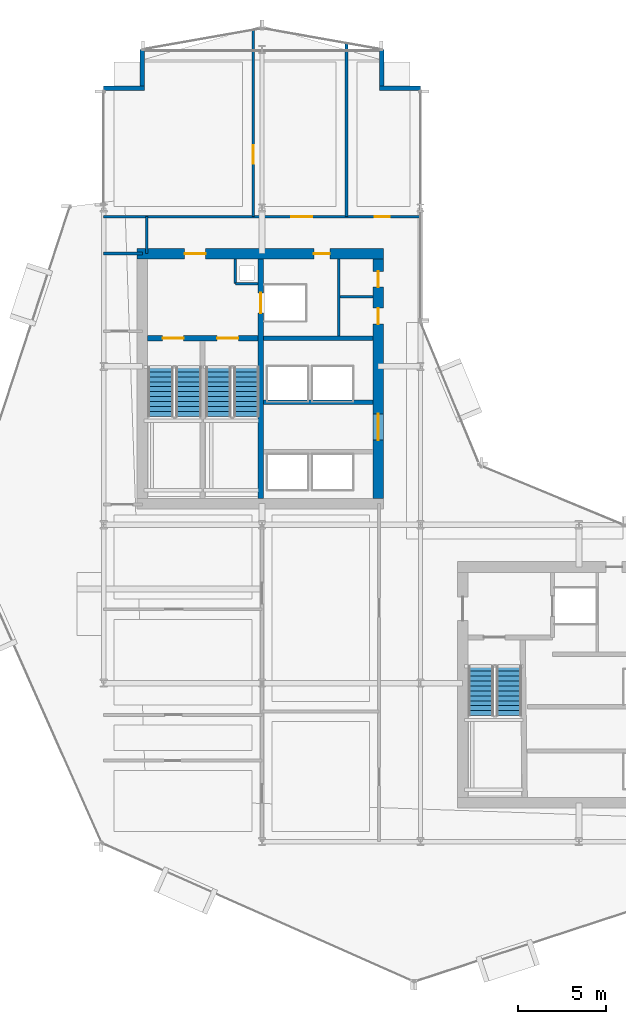
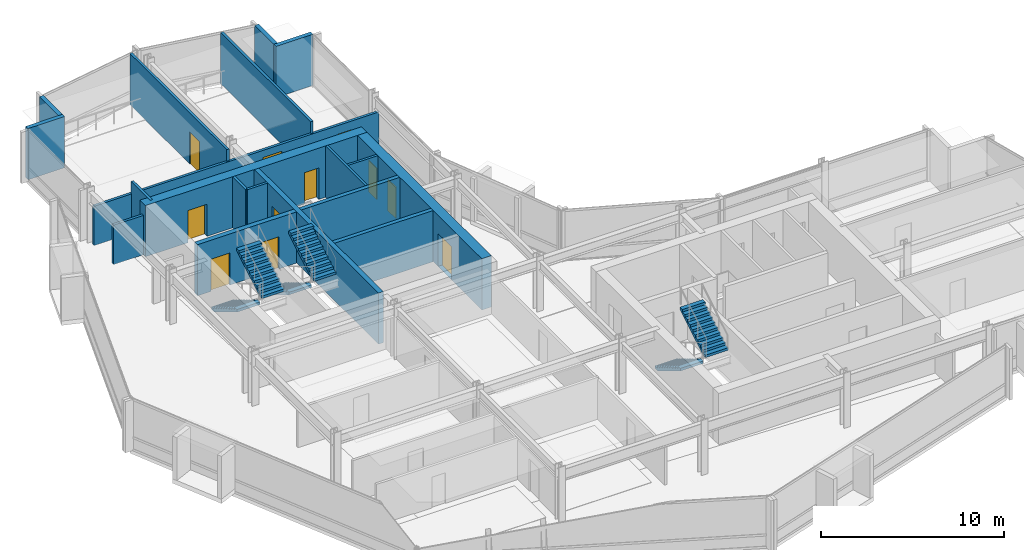
# One storey, part 23 of 28: 19 walls, 11 doors, 6 stair flights, 11 openings, 3 elements without a shape of their own.
"""IFC4 building model written with IfcOpenShell, lengths in metres."""

import ifcopenshell
import ifcopenshell.guid

model = None  # the IFC model being written
_history = None  # IfcOwnerHistory: only IFC2X3 demands one
_inside = {}  # id of a spatial element -> (the spatial element, [elements in it])
_under = {}  # id of a project, library or spatial element -> (it, [spatial elements below it])
_declared = {}  # id of a project -> (the project, [libraries it declares])
_typed = {}  # id of a type object -> (the type object, [elements of that type])
_made_of = {}  # id of a material, layer set ... -> (it, [elements and type objects made of it])


def new_model(schema):
    """Start an empty IFC model of exactly this schema.

    Asked for "IFC4X3", IfcOpenShell would pick the latest addendum, in which some entities
    have other attributes; the version numbers below select the first issue.
    IFC2X3 requires an IfcOwnerHistory on every rooted entity: one is made here for all.
    """
    global model, _history
    if schema == "IFC4X3":
        model = ifcopenshell.file(schema_version=(4, 3, 0, 0))
    else:
        model = ifcopenshell.file(schema=schema)
    _inside.clear()
    _under.clear()
    _declared.clear()
    _typed.clear()
    _made_of.clear()
    _history = None
    if model.schema == "IFC2X3":
        org = make("IfcOrganization", Name="unknown")
        user = make(
            "IfcPersonAndOrganization",
            ThePerson=make("IfcPerson", FamilyName="unknown"),
            TheOrganization=org,
        )
        app = make(
            "IfcApplication",
            ApplicationDeveloper=org,
            Version="unknown",
            ApplicationFullName="unknown",
            ApplicationIdentifier="unknown",
        )
        _history = make(
            "IfcOwnerHistory",
            OwningUser=user,
            OwningApplication=app,
            ChangeAction="ADDED",
            CreationDate=0,
        )
    return model


def make(cls, **values):
    """One entity of the class cls with the attributes given. An attribute that is None is left unset."""
    return model.create_entity(
        cls, **{name: value for name, value in values.items() if value is not None}
    )


def rooted(cls, **values):
    """An entity with a GlobalId (a new one), such as an element, a storey or a relation."""
    return make(cls, GlobalId=ifcopenshell.guid.new(), OwnerHistory=_history, **values)


def si_unit(unit_type, name, prefix=None):
    """IfcSIUnit, for example si_unit("LENGTHUNIT", "METRE", prefix="MILLI")."""
    return make("IfcSIUnit", UnitType=unit_type, Prefix=prefix, Name=name)


def assignment(units):
    """IfcUnitAssignment: the units of a project."""
    return None if units is None else make("IfcUnitAssignment", Units=units)


def point(xyz):
    """IfcCartesianPoint."""
    return None if xyz is None else make("IfcCartesianPoint", Coordinates=xyz)


def direction(xyz):
    """IfcDirection."""
    return None if xyz is None else make("IfcDirection", DirectionRatios=xyz)


def frame(location, z_axis=None, x_axis=None):
    """IfcAxis2Placement3D, a coordinate frame: its origin and axes. An axis left out is left unset."""
    return make(
        "IfcAxis2Placement3D",
        Location=point(location),
        Axis=direction(z_axis),
        RefDirection=direction(x_axis),
    )


def frame_2d(location, x_axis=None):
    """IfcAxis2Placement2D, a coordinate frame in the plane: its origin and x axis."""
    return make(
        "IfcAxis2Placement2D", Location=point(location), RefDirection=direction(x_axis)
    )


def origin():
    """The frame at (0, 0, 0) with its axes left unset."""
    return frame((0.0, 0.0, 0.0))


def place(relative_to, where):
    """IfcLocalPlacement: puts the frame where relative to a parent placement (None: the world)."""
    return make(
        "IfcLocalPlacement", PlacementRelTo=relative_to, RelativePlacement=where
    )


def context(
    kind, dimensions, precision=None, world=None, true_north=None, identifier=None
):
    """IfcGeometricRepresentationContext, for example the 3D "Model" context."""
    return make(
        "IfcGeometricRepresentationContext",
        ContextIdentifier=identifier,
        ContextType=kind,
        CoordinateSpaceDimension=dimensions,
        Precision=precision,
        WorldCoordinateSystem=world,
        TrueNorth=true_north,
    )


def subcontext(parent, identifier, kind, view, scale=None):
    """IfcGeometricRepresentationSubContext, for example "Body" below "Model"."""
    return make(
        "IfcGeometricRepresentationSubContext",
        ContextIdentifier=identifier,
        ContextType=kind,
        ParentContext=parent,
        TargetScale=scale,
        TargetView=view,
    )


def project(units=None, contexts=None):
    """IfcProject with its units and contexts."""
    return rooted(
        "IfcProject",
        Name="project",
        RepresentationContexts=contexts,
        UnitsInContext=assignment(units),
    )


def spatial(cls, under=None, at=None, **own):
    """A site, building, storey or space (cls), placed at a placement, below another one or the project."""
    s = rooted(cls, ObjectPlacement=at, **own)
    if under is not None:
        _under.setdefault(under.id(), (under, []))[1].append(s)
    return s


def polyline(points):
    """IfcPolyline through the points."""
    return make("IfcPolyline", Points=[point(p) for p in points])


def profile(cls, at=None, kind="AREA", **sizes):
    """A parametric profile (cls). Its sizes go by their IFC names, for example OverallWidth=200.0."""
    return make(cls, ProfileType=kind, Position=at, **sizes)


def rectangle(**sizes):
    """IfcRectangleProfileDef."""
    return profile("IfcRectangleProfileDef", **sizes)


def outline(outer, holes=None, kind="AREA"):
    """IfcArbitraryClosedProfileDef: a profile drawn as a closed curve; with holes, ...WithVoids."""
    if holes is None:
        return make("IfcArbitraryClosedProfileDef", ProfileType=kind, OuterCurve=outer)
    return make(
        "IfcArbitraryProfileDefWithVoids",
        ProfileType=kind,
        OuterCurve=outer,
        InnerCurves=holes,
    )


def extrude(swept, where, along, depth):
    """IfcExtrudedAreaSolid: the profile swept, set in the frame where, extruded along a direction by depth."""
    return make(
        "IfcExtrudedAreaSolid",
        SweptArea=swept,
        Position=where,
        ExtrudedDirection=direction(along),
        Depth=depth,
    )


def shape(context_of_items, identifier, shape_type, items):
    """IfcShapeRepresentation: the items that make up one representation, for example the "Body"."""
    return make(
        "IfcShapeRepresentation",
        ContextOfItems=context_of_items,
        RepresentationIdentifier=identifier,
        RepresentationType=shape_type,
        Items=items,
    )


def material(Name=None, Category=None):
    """IfcMaterial."""
    return make("IfcMaterial", Name=Name, Category=Category)


def layer(
    of_material, thickness, ventilated=None, Name=None, Category=None, Priority=None
):
    """IfcMaterialLayer: one layer of a wall or slab, of a material (None: an air gap)."""
    return make(
        "IfcMaterialLayer",
        Material=of_material,
        LayerThickness=thickness,
        IsVentilated=ventilated,
        Name=Name,
        Category=Category,
        Priority=Priority,
    )


def layer_set(layers, Name=None):
    """IfcMaterialLayerSet."""
    return make("IfcMaterialLayerSet", MaterialLayers=layers, LayerSetName=Name)


def made_of(thing, what):
    """Note that an element or type object is made of a material, layer set ...; save() writes the relation."""
    if what is not None:
        _made_of.setdefault(what.id(), (what, []))[1].append(thing)
    return thing


def type_object(cls, material=None, **own):
    """A type object (cls), such as IfcWallType, which elements share."""
    return made_of(rooted(cls, **own), material)


def element(
    cls,
    number,
    at=None,
    inside=None,
    cuts=None,
    type_object=None,
    material=None,
    context=None,
    identifier="Body",
    shape_type=None,
    held_by="IfcProductDefinitionShape",
    body=None,
    shapes=None,
    **own,
):
    """One element of the class cls, such as IfcWall. Its Tag is "e" and its number.

    at: its placement. inside: the storey or other place that contains it. cuts: it is an
    opening in that element (IfcRelVoidsElement). A single representation is given by context,
    identifier, shape_type and body (its items); several are given by shapes. held_by: the class
    of the entity that holds the representations. save() writes the other relations.
    """
    e = rooted(cls, Tag="e%d" % number, ObjectPlacement=at, **own)
    if body is not None:
        shapes = [shape(context, identifier, shape_type, body)]
    if shapes is not None:
        e.Representation = make(held_by, Representations=shapes)
    if inside is not None:
        _inside.setdefault(inside.id(), (inside, []))[1].append(e)
    if cuts is not None:
        rooted(
            "IfcRelVoidsElement", RelatingBuildingElement=cuts, RelatedOpeningElement=e
        )
    if type_object is not None:
        _typed.setdefault(type_object.id(), (type_object, []))[1].append(e)
    return made_of(e, material)


def fill(opening, filler):
    """IfcRelFillsElement: the door or window that sits in an opening."""
    return rooted(
        "IfcRelFillsElement",
        RelatingOpeningElement=opening,
        RelatedBuildingElement=filler,
    )


def aggregate(whole, parts):
    """IfcRelAggregates: a whole, such as a stair, and the parts it consists of."""
    return rooted("IfcRelAggregates", RelatingObject=whole, RelatedObjects=parts)


def save(model, path):
    """Write the relations noted so far, then the file.

    IfcRelAggregates (storeys below a building ...), IfcRelContainedInSpatialStructure (elements
    in a storey), IfcRelDefinesByType, IfcRelAssociatesMaterial and IfcRelDeclares: one each for
    every whole, place, type object, material and project.
    """
    for whole, parts in _under.values():
        aggregate(whole, parts)
    for where, things in _inside.values():
        rooted(
            "IfcRelContainedInSpatialStructure",
            RelatedElements=things,
            RelatingStructure=where,
        )
    for kind, things in _typed.values():
        rooted("IfcRelDefinesByType", RelatedObjects=things, RelatingType=kind)
    for what, things in _made_of.values():
        rooted("IfcRelAssociatesMaterial", RelatedObjects=things, RelatingMaterial=what)
    for by, libraries in _declared.values():
        rooted("IfcRelDeclares", RelatingContext=by, RelatedDefinitions=libraries)
    model.write(path)


model = new_model("IFC4")

# Units and contexts
model_context = context("Model", 3, precision=1e-05, world=origin(), true_north=direction((0.0, 1.0)))
body_context = subcontext(model_context, "Body", "Model", "MODEL_VIEW")
ifc_project = project(units=[si_unit("LENGTHUNIT", "METRE"), si_unit("AREAUNIT", "SQUARE_METRE"), si_unit("VOLUMEUNIT", "CUBIC_METRE"), si_unit("PLANEANGLEUNIT", "RADIAN"), si_unit("MASSUNIT", "GRAM", prefix="KILO")], contexts=[model_context])

# Site, building, storey
site_placement = place(None, origin())
site = spatial("IfcSite", under=ifc_project, at=site_placement, CompositionType="ELEMENT")
building_placement = place(site_placement, origin())
building = spatial("IfcBuilding", under=site, at=building_placement, Name="Solvaryn Broadcast Tower", CompositionType="ELEMENT")
storey_placement = place(building_placement, frame((0.0, 0.0, 110.0)))
storey = spatial("IfcBuildingStorey", under=building, at=storey_placement, Name="L26", CompositionType="ELEMENT", Elevation=110.0)

# Wall, openings, doors
ifc_material_1 = material(Name="Concrete f'c 70 MPa", Category="concrete")
ifc_layer_1 = layer(ifc_material_1, 0.60009765625)
ifc_layer_set_1 = layer_set([ifc_layer_1], Name="CW-SHEAR-600")
wall_type_1 = type_object("IfcWallType", Name="CW-SHEAR-600", PredefinedType="SHEAR", material=ifc_layer_set_1)
wall_1_placement = place(storey_placement, frame((24.89990234375, 42.39990234375, 0.0), z_axis=(0.0, 0.0, 1.0), x_axis=(-1.0, 0.0, 0.0)))
wall_1 = element("IfcWall", 1, at=wall_1_placement, inside=storey, type_object=wall_type_1, Name="L26 West Core North Shear Wall", PredefinedType="SHEAR", context=body_context, shape_type="SweptSolid", body=[
    extrude(rectangle(XDim=14.0, YDim=0.60009765625, at=frame_2d((7.0, 0.0))), origin(), (0.0, 0.0, 1.0), 3.419921875),
])
opening_1_placement = place(wall_1_placement, frame((10.10009765625, 0.0, 0.0)))
opening_1 = element("IfcOpeningElement", 2, at=opening_1_placement, cuts=wall_1, Name="Opening FD90A", PredefinedType="OPENING", context=body_context, shape_type="SweptSolid", body=[
    extrude(rectangle(XDim=1.199951171875, YDim=2.14990234375, at=frame_2d((0.60009765625, 1.074951171875))), frame((0.0, 0.31005859375, 0.0), z_axis=(0.0, -1.0, 0.0), x_axis=(1.0, 0.0, 0.0)), (0.0, 0.0, 1.0), 0.6201171875),
])
opening_2_placement = place(wall_1_placement, frame((3.050048828125, 0.0, 0.0)))
opening_2 = element("IfcOpeningElement", 3, at=opening_2_placement, cuts=wall_1, Name="Opening FD60C", PredefinedType="OPENING", context=body_context, shape_type="SweptSolid", body=[
    extrude(rectangle(XDim=0.89990234375, YDim=2.10009765625, at=frame_2d((0.449951171875, 1.050048828125))), frame((0.0, 0.31005859375, 0.0), z_axis=(0.0, -1.0, 0.0), x_axis=(1.0, 0.0, 0.0)), (0.0, 0.0, 1.0), 0.6201171875),
])
ifc_material_2 = material(Name="Flush Acoustic Steel and Timber Door Assembly", Category="steel")
door_type_1 = type_object("IfcDoorType", Name="FD60-SERV-900X2100", OperationType="NOTDEFINED", PredefinedType="DOOR", material=ifc_material_2)
door_1_placement = place(opening_2_placement, origin())
door_1 = element("IfcDoor", 4, at=door_1_placement, inside=storey, type_object=door_type_1, Name="L26 West Core Fiber Riser Door", OperationType="SINGLE_SWING_RIGHT", OverallHeight=2.10009765625, OverallWidth=0.89990234375, PredefinedType="DOOR", context=body_context, shape_type="SweptSolid", body=[
    extrude(rectangle(XDim=0.89990234375, YDim=2.10009765625, at=frame_2d((0.449951171875, 1.050048828125))), frame((0.0, 0.02490234375, 0.0), z_axis=(0.0, -1.0, 0.0), x_axis=(1.0, 0.0, 0.0)), (0.0, 0.0, 1.0), 0.050048828125),
])
fill(opening_2, door_1)
ifc_material_3 = material(Name="Flush Acoustic Steel and Timber Door Assembly", Category="steel")
door_type_2 = type_object("IfcDoorType", Name="FD90-STAIR-1200X2150", OperationType="NOTDEFINED", PredefinedType="DOOR", material=ifc_material_3)
door_2_placement = place(opening_1_placement, origin())
door_2 = element("IfcDoor", 5, at=door_2_placement, inside=storey, type_object=door_type_2, Name="L26 West FSAE Lobby Corridor Door", OperationType="SINGLE_SWING_LEFT", OverallHeight=2.14990234375, OverallWidth=1.199951171875, PredefinedType="DOOR", context=body_context, shape_type="SweptSolid", body=[
    extrude(rectangle(XDim=1.199951171875, YDim=2.14990234375, at=frame_2d((0.60009765625, 1.074951171875))), frame((0.0, 0.02490234375, 0.0), z_axis=(0.0, -1.0, 0.0), x_axis=(1.0, 0.0, 0.0)), (0.0, 0.0, 1.0), 0.050048828125),
])
fill(opening_1, door_2)

wall_2_placement = place(storey_placement, frame((24.60009765625, 28.5, 0.0), z_axis=(0.0, 0.0, 1.0), x_axis=(0.0, 1.0, 0.0)))
wall_2 = element("IfcWall", 6, at=wall_2_placement, inside=storey, type_object=wall_type_1, Name="L26 West Core East Shear Wall", PredefinedType="SHEAR", context=body_context, shape_type="SweptSolid", body=[
    extrude(rectangle(XDim=13.60009765625, YDim=0.60009765625, at=frame_2d((6.800048828125, 0.0))), origin(), (0.0, 0.0, 1.0), 3.419921875),
])
opening_3_placement = place(wall_2_placement, frame((3.300048828125, 0.0, 0.0)))
opening_3 = element("IfcOpeningElement", 7, at=opening_3_placement, cuts=wall_2, Name="Opening FD60A", PredefinedType="OPENING", context=body_context, shape_type="SweptSolid", body=[
    extrude(rectangle(XDim=1.5, YDim=2.199951171875, at=frame_2d((0.75, 1.10009765625))), frame((0.0, 0.31005859375, 0.0), z_axis=(0.0, -1.0, 0.0), x_axis=(1.0, 0.0, 0.0)), (0.0, 0.0, 1.0), 0.6201171875),
])
opening_4_placement = place(wall_2_placement, frame((9.89990234375, 0.0, 0.0)))
opening_4 = element("IfcOpeningElement", 8, at=opening_4_placement, cuts=wall_2, Name="Opening FD60C", PredefinedType="OPENING", context=body_context, shape_type="SweptSolid", body=[
    extrude(rectangle(XDim=0.89990234375, YDim=2.10009765625, at=frame_2d((0.449951171875, 1.050048828125))), frame((0.0, 0.31005859375, 0.0), z_axis=(0.0, -1.0, 0.0), x_axis=(1.0, 0.0, 0.0)), (0.0, 0.0, 1.0), 0.6201171875),
])
opening_5_placement = place(wall_2_placement, frame((12.0, 0.0, 0.0)))
opening_5 = element("IfcOpeningElement", 9, at=opening_5_placement, cuts=wall_2, Name="Opening FD60C", PredefinedType="OPENING", context=body_context, shape_type="SweptSolid", body=[
    extrude(rectangle(XDim=0.89990234375, YDim=2.10009765625, at=frame_2d((0.449951171875, 1.050048828125))), frame((0.0, 0.31005859375, 0.0), z_axis=(0.0, -1.0, 0.0), x_axis=(1.0, 0.0, 0.0)), (0.0, 0.0, 1.0), 0.6201171875),
])
ifc_material_4 = material(Name="Flush Acoustic Steel and Timber Door Assembly", Category="steel")
door_type_3 = type_object("IfcDoorType", Name="FD60-CORR-1500X2200", OperationType="NOTDEFINED", PredefinedType="DOOR", material=ifc_material_4)
door_3_placement = place(opening_3_placement, origin())
door_3 = element("IfcDoor", 10, at=door_3_placement, inside=storey, type_object=door_type_3, Name="L26 West Elevator Lobby Corridor Door", OperationType="DOUBLE_DOOR_SINGLE_SWING", OverallHeight=2.199951171875, OverallWidth=1.5, PredefinedType="DOOR", context=body_context, shape_type="SweptSolid", body=[
    extrude(rectangle(XDim=1.5, YDim=2.199951171875, at=frame_2d((0.75, 1.10009765625))), frame((0.0, 0.02490234375, 0.0), z_axis=(0.0, -1.0, 0.0), x_axis=(1.0, 0.0, 0.0)), (0.0, 0.0, 1.0), 0.050048828125),
])
fill(opening_3, door_3)
door_4_placement = place(opening_4_placement, origin())
door_4 = element("IfcDoor", 11, at=door_4_placement, inside=storey, type_object=door_type_1, Name="L26 West Core Service Door 1", OperationType="SINGLE_SWING_LEFT", OverallHeight=2.10009765625, OverallWidth=0.89990234375, PredefinedType="DOOR", context=body_context, shape_type="SweptSolid", body=[
    extrude(rectangle(XDim=0.89990234375, YDim=2.10009765625, at=frame_2d((0.449951171875, 1.050048828125))), frame((0.0, 0.02490234375, 0.0), z_axis=(0.0, -1.0, 0.0), x_axis=(1.0, 0.0, 0.0)), (0.0, 0.0, 1.0), 0.050048828125),
])
fill(opening_4, door_4)
door_5_placement = place(opening_5_placement, origin())
door_5 = element("IfcDoor", 12, at=door_5_placement, inside=storey, type_object=door_type_1, Name="L26 West Core Janitor Door", OperationType="SINGLE_SWING_RIGHT", OverallHeight=2.10009765625, OverallWidth=0.89990234375, PredefinedType="DOOR", context=body_context, shape_type="SweptSolid", body=[
    extrude(rectangle(XDim=0.89990234375, YDim=2.10009765625, at=frame_2d((0.449951171875, 1.050048828125))), frame((0.0, 0.02490234375, 0.0), z_axis=(0.0, -1.0, 0.0), x_axis=(1.0, 0.0, 0.0)), (0.0, 0.0, 1.0), 0.050048828125),
])
fill(opening_5, door_5)

# Walls
ifc_material_5 = material(Name="Concrete f'c 50 MPa", Category="concrete")
ifc_layer_2 = layer(ifc_material_5, 0.260009765625)
ifc_layer_set_2 = layer_set([ifc_layer_2], Name="EW-PIER-260")
wall_type_2 = type_object("IfcWallType", Name="EW-PIER-260", PredefinedType="SOLIDWALL", material=ifc_layer_set_2)
wall_3_placement = place(storey_placement, frame((9.0, 51.800048828125, 0.0), z_axis=(0.0, 0.0, 1.0), x_axis=(1.0, 0.0, 0.0)))
element("IfcWall", 13, at=wall_3_placement, inside=storey, type_object=wall_type_2, Name="L26 Notched Corner Pier Wall NNW1", PredefinedType="SOLIDWALL", context=body_context, shape_type="SweptSolid", body=[
    extrude(rectangle(XDim=2.320068359375, YDim=0.260009765625, at=frame_2d((1.16015625, 0.0))), origin(), (0.0, 0.0, 1.0), 3.419921875),
])
for number, where, z_axis, x_axis, name in (
    (14, (11.199951171875, 51.919921875, 0.0), (0.0, 0.0, 1.0), (0.0, 1.0, 0.0), "L26 Notched Corner Pier Wall NNW2"),
    (15, (24.800048828125, 54.0, 0.0), (0.0, 0.0, 1.0), (0.0, -1.0, 0.0), "L26 Notched Corner Pier Wall NNE1"),
):
    element("IfcWall", number, at=place(storey_placement, frame(where, z_axis=z_axis, x_axis=x_axis)), inside=storey, type_object=wall_type_2, Name=name, PredefinedType="SOLIDWALL", context=body_context, shape_type="SweptSolid", body=[
        extrude(rectangle(XDim=2.080078125, YDim=0.260009765625, at=frame_2d((1.0400390625, 0.0))), origin(), (0.0, 0.0, 1.0), 3.419921875),
    ])
wall_4_placement = place(storey_placement, frame((24.679931640625, 51.800048828125, 0.0), z_axis=(0.0, 0.0, 1.0), x_axis=(1.0, 0.0, 0.0)))
element("IfcWall", 16, at=wall_4_placement, inside=storey, type_object=wall_type_2, Name="L26 Notched Corner Pier Wall NNE2", PredefinedType="SOLIDWALL", context=body_context, shape_type="SweptSolid", body=[
    extrude(rectangle(XDim=2.320068359375, YDim=0.260009765625, at=frame_2d((1.16015625, 0.0))), origin(), (0.0, 0.0, 1.0), 3.419921875),
])
ifc_material_6 = material(Name="Metal-Stud Service Core Partition")
ifc_layer_3 = layer(ifc_material_6, 0.14990234375)
ifc_layer_set_3 = layer_set([ifc_layer_3], Name="IW-PART-150")
wall_type_3 = type_object("IfcWallType", Name="IW-PART-150", PredefinedType="PARTITIONING", material=ifc_layer_set_3)
wall_5_placement = place(storey_placement, frame((16.47998046875, 40.699951171875, 0.0), z_axis=(0.0, 0.0, 1.0), x_axis=(1.0, 0.0, 0.0)))
element("IfcWall", 17, at=wall_5_placement, inside=storey, type_object=wall_type_3, Name="L26 West Core Riser Shaft South Wall", PredefinedType="PARTITIONING", context=body_context, shape_type="SweptSolid", body=[
    extrude(rectangle(XDim=1.2900390625, YDim=0.14990234375, at=frame_2d((0.64501953125, 0.0))), origin(), (0.0, 0.0, 1.0), 3.419921875),
])
wall_6_placement = place(storey_placement, frame((16.47998046875, 40.699951171875, 0.0), z_axis=(0.0, 0.0, 1.0), x_axis=(0.0, 1.0, 0.0)))
element("IfcWall", 18, at=wall_6_placement, inside=storey, type_object=wall_type_3, Name="L26 West Core Riser Shaft West Wall", PredefinedType="PARTITIONING", context=body_context, shape_type="SweptSolid", body=[
    extrude(rectangle(XDim=1.400146484375, YDim=0.14990234375, at=frame_2d((0.7001953125, 0.0))), origin(), (0.0, 0.0, 1.0), 3.419921875),
])
wall_7_placement = place(storey_placement, frame((22.35009765625, 37.72998046875, 0.0), z_axis=(0.0, 0.0, 1.0), x_axis=(0.0, 1.0, 0.0)))
element("IfcWall", 19, at=wall_7_placement, inside=storey, type_object=wall_type_3, Name="L26 Interior Partition IW-L26-CWS-V", PredefinedType="PARTITIONING", context=body_context, shape_type="SweptSolid", body=[
    extrude(rectangle(XDim=4.3701171875, YDim=0.14990234375, at=frame_2d((2.18505859375, 0.0))), origin(), (0.0, 0.0, 1.0), 3.419921875),
])
wall_8_placement = place(storey_placement, frame((22.429931640625, 39.949951171875, 0.0), z_axis=(0.0, 0.0, 1.0), x_axis=(1.0, 0.0, 0.0)))
element("IfcWall", 20, at=wall_8_placement, inside=storey, type_object=wall_type_3, Name="L26 Interior Partition IW-L26-CWS-H", PredefinedType="PARTITIONING", context=body_context, shape_type="SweptSolid", body=[
    extrude(rectangle(XDim=1.8701171875, YDim=0.14990234375, at=frame_2d((0.93505859375, 0.0))), origin(), (0.0, 0.0, 1.0), 3.419921875),
])
ifc_material_7 = material(Name="Metal-Stud Gypsum Office Partition")
ifc_layer_4 = layer(ifc_material_7, 0.159912109375)
ifc_layer_set_4 = layer_set([ifc_layer_4], Name="IW-PART-160")
wall_type_4 = type_object("IfcWallType", Name="IW-PART-160", PredefinedType="PARTITIONING", material=ifc_layer_set_4)
wall_9_placement = place(storey_placement, frame((9.0, 42.39990234375, 0.0), z_axis=(0.0, 0.0, 1.0), x_axis=(1.0, 0.0, 0.0)))
element("IfcWall", 21, at=wall_9_placement, inside=storey, type_object=wall_type_4, Name="L26 Interior Partition IW-L26-WM-N", PredefinedType="PARTITIONING", context=body_context, shape_type="SweptSolid", body=[
    extrude(rectangle(XDim=2.199951171875, YDim=0.159912109375, at=frame_2d((1.10009765625, 0.0))), origin(), (0.0, 0.0, 1.0), 2.634033203125),
])
wall_10_placement = place(storey_placement, frame((11.449951171875, 42.39990234375, 0.0), z_axis=(0.0, 0.0, 1.0), x_axis=(0.0, 1.0, 0.0)))
element("IfcWall", 22, at=wall_10_placement, inside=storey, type_object=wall_type_4, Name="L26 Interior Partition IW-L26-WM-E", PredefinedType="PARTITIONING", context=body_context, shape_type="SweptSolid", body=[
    extrude(rectangle(XDim=2.10009765625, YDim=0.159912109375, at=frame_2d((1.050048828125, 0.0))), origin(), (0.0, 0.0, 1.0), 3.419921875),
])

# Wall, openings, doors
wall_11_placement = place(storey_placement, frame((9.0, 44.5, 0.0), z_axis=(0.0, 0.0, 1.0), x_axis=(1.0, 0.0, 0.0)))
wall_11 = element("IfcWall", 23, at=wall_11_placement, inside=storey, type_object=wall_type_4, Name="L26 Interior Partition IW-L26-NW-SB", PredefinedType="PARTITIONING", context=body_context, shape_type="SweptSolid", body=[
    extrude(rectangle(XDim=18.0, YDim=0.159912109375, at=frame_2d((9.0, 0.0))), origin(), (0.0, 0.0, 1.0), 2.634033203125),
])
opening_6_placement = place(wall_11_placement, frame((10.64990234375, 0.0, 0.0)))
opening_6 = element("IfcOpeningElement", 24, at=opening_6_placement, cuts=wall_11, Name="Opening ID04", PredefinedType="OPENING", context=body_context, shape_type="SweptSolid", body=[
    extrude(rectangle(XDim=1.199951171875, YDim=2.14990234375, at=frame_2d((0.60009765625, 1.074951171875))), frame((0.0, 0.090087890625, 0.0), z_axis=(0.0, -1.0, 0.0), x_axis=(1.0, 0.0, 0.0)), (0.0, 0.0, 1.0), 0.179931640625),
])
opening_7_placement = place(wall_11_placement, frame((15.39990234375, 0.0, 0.0)))
opening_7 = element("IfcOpeningElement", 25, at=opening_7_placement, cuts=wall_11, Name="Opening ID07", PredefinedType="OPENING", context=body_context, shape_type="SweptSolid", body=[
    extrude(rectangle(XDim=0.860107421875, YDim=2.050048828125, at=frame_2d((0.43017578125, 1.02490234375))), frame((0.0, 0.090087890625, 0.0), z_axis=(0.0, -1.0, 0.0), x_axis=(1.0, 0.0, 0.0)), (0.0, 0.0, 1.0), 0.179931640625),
])
ifc_material_8 = material(Name="Flush Acoustic Steel and Timber Door Assembly", Category="steel")
door_type_4 = type_object("IfcDoorType", Name="ID-04-1200X2150", OperationType="NOTDEFINED", PredefinedType="DOOR", material=ifc_material_8)
door_6_placement = place(opening_6_placement, origin())
door_6 = element("IfcDoor", 26, at=door_6_placement, inside=storey, type_object=door_type_4, Name="L26 Door DR-L26-NW-2", OperationType="SINGLE_SWING_LEFT", OverallHeight=2.14990234375, OverallWidth=1.199951171875, PredefinedType="DOOR", context=body_context, shape_type="SweptSolid", body=[
    extrude(rectangle(XDim=1.199951171875, YDim=2.14990234375, at=frame_2d((0.60009765625, 1.074951171875))), frame((0.0, 0.02490234375, 0.0), z_axis=(0.0, -1.0, 0.0), x_axis=(1.0, 0.0, 0.0)), (0.0, 0.0, 1.0), 0.050048828125),
])
fill(opening_6, door_6)
ifc_material_9 = material(Name="Flush Acoustic Steel and Timber Door Assembly", Category="steel")
door_type_5 = type_object("IfcDoorType", Name="ID-07-860X2050", OperationType="NOTDEFINED", PredefinedType="DOOR", material=ifc_material_9)
door_7_placement = place(opening_7_placement, origin())
door_7 = element("IfcDoor", 27, at=door_7_placement, inside=storey, type_object=door_type_5, Name="L26 Door DR-L26-NW-3", OperationType="SINGLE_SWING_RIGHT", OverallHeight=2.050048828125, OverallWidth=0.860107421875, PredefinedType="DOOR", context=body_context, shape_type="SweptSolid", body=[
    extrude(rectangle(XDim=0.860107421875, YDim=2.050048828125, at=frame_2d((0.43017578125, 1.02490234375))), frame((0.0, 0.02490234375, 0.0), z_axis=(0.0, -1.0, 0.0), x_axis=(1.0, 0.0, 0.0)), (0.0, 0.0, 1.0), 0.050048828125),
])
fill(opening_7, door_7)

# Wall, opening, door
wall_12_placement = place(storey_placement, frame((17.5, 44.5, 0.0), z_axis=(0.0, 0.0, 1.0), x_axis=(0.0, 1.0, 0.0)))
wall_12 = element("IfcWall", 28, at=wall_12_placement, inside=storey, type_object=wall_type_4, Name="L26 Interior Partition IW-L26-NW-V1", PredefinedType="PARTITIONING", context=body_context, shape_type="SweptSolid", body=[
    extrude(rectangle(XDim=10.612060546875, YDim=0.159912109375, at=frame_2d((5.30615234375, 0.0))), origin(), (0.0, 0.0, 1.0), 3.419921875),
])
opening_8_placement = place(wall_12_placement, frame((3.0, 0.0, 0.0)))
opening_8 = element("IfcOpeningElement", 29, at=opening_8_placement, cuts=wall_12, Name="Opening ID03", PredefinedType="OPENING", context=body_context, shape_type="SweptSolid", body=[
    extrude(rectangle(XDim=1.050048828125, YDim=2.14990234375, at=frame_2d((0.52490234375, 1.074951171875))), frame((0.0, 0.090087890625, 0.0), z_axis=(0.0, -1.0, 0.0), x_axis=(1.0, 0.0, 0.0)), (0.0, 0.0, 1.0), 0.179931640625),
])
ifc_material_10 = material(Name="Flush Acoustic Steel and Timber Door Assembly", Category="steel")
door_type_6 = type_object("IfcDoorType", Name="ID-03-1050X2150", OperationType="NOTDEFINED", PredefinedType="DOOR", material=ifc_material_10)
door_8_placement = place(opening_8_placement, origin())
door_8 = element("IfcDoor", 30, at=door_8_placement, inside=storey, type_object=door_type_6, Name="L26 Door DR-L26-NW-C1", OperationType="SINGLE_SWING_RIGHT", OverallHeight=2.14990234375, OverallWidth=1.050048828125, PredefinedType="DOOR", context=body_context, shape_type="SweptSolid", body=[
    extrude(rectangle(XDim=1.050048828125, YDim=2.14990234375, at=frame_2d((0.52490234375, 1.074951171875))), frame((0.0, 0.02490234375, 0.0), z_axis=(0.0, -1.0, 0.0), x_axis=(1.0, 0.0, 0.0)), (0.0, 0.0, 1.0), 0.050048828125),
])
fill(opening_8, door_8)

# Walls
wall_13_placement = place(storey_placement, frame((22.800048828125, 44.5, 0.0), z_axis=(0.0, 0.0, 1.0), x_axis=(0.0, 1.0, 0.0)))
element("IfcWall", 31, at=wall_13_placement, inside=storey, type_object=wall_type_4, Name="L26 Interior Partition IW-L26-NW-V2", PredefinedType="PARTITIONING", context=body_context, shape_type="SweptSolid", body=[
    extrude(rectangle(XDim=9.85302734375, YDim=0.159912109375, at=frame_2d((4.926513671875, 0.0))), origin(), (0.0, 0.0, 1.0), 3.419921875),
])
ifc_material_11 = material(Name="Concrete f'c 60 MPa", Category="concrete")
ifc_layer_5 = layer(ifc_material_11, 0.25)
ifc_layer_set_5 = layer_set([ifc_layer_5], Name="SW-SHAFT-250")
wall_type_5 = type_object("IfcWallType", Name="SW-SHAFT-250", PredefinedType="PARTITIONING", material=ifc_layer_set_5)
for number, where, z_axis, x_axis, name in (
    (32, (18.070068359375, 37.60009765625, 0.0), (0.0, 0.0, 1.0), (1.0, 0.0, 0.0), "L26 West Core FSAE Hoistway Front Wall"),
    (33, (24.300048828125, 33.949951171875, 0.0), (0.0, 0.0, 1.0), (-1.0, 0.0, 0.0), "L26 High-Rise Lift Bank North Wall"),
):
    element("IfcWall", number, at=place(storey_placement, frame(where, z_axis=z_axis, x_axis=x_axis)), inside=storey, type_object=wall_type_5, Name=name, PredefinedType="PARTITIONING", context=body_context, shape_type="SweptSolid", body=[
        extrude(rectangle(XDim=6.22998046875, YDim=0.25, at=frame_2d((3.114990234375, 0.0))), origin(), (0.0, 0.0, 1.0), 3.419921875),
    ])

# Wall, opening, door
ifc_material_12 = material(Name="Concrete f'c 70 MPa", Category="concrete")
ifc_layer_6 = layer(ifc_material_12, 0.300048828125)
ifc_layer_set_6 = layer_set([ifc_layer_6], Name="SW-SHAFT-300")
wall_type_6 = type_object("IfcWallType", Name="SW-SHAFT-300", PredefinedType="SHEAR", material=ifc_layer_set_6)
wall_14_placement = place(storey_placement, frame((17.919921875, 42.10009765625, 0.0), z_axis=(0.0, 0.0, 1.0), x_axis=(0.0, -1.0, 0.0)))
wall_14 = element("IfcWall", 34, at=wall_14_placement, inside=storey, type_object=wall_type_6, Name="L26 West Core Stair-Lobby Shear Wall", PredefinedType="SHEAR", context=body_context, shape_type="SweptSolid", body=[
    extrude(rectangle(XDim=13.60009765625, YDim=0.300048828125, at=frame_2d((6.800048828125, 0.0))), origin(), (0.0, 0.0, 1.0), 3.419921875),
])
opening_9_placement = place(wall_14_placement, frame((1.925048828125, 0.0, 0.0)))
opening_9 = element("IfcOpeningElement", 35, at=opening_9_placement, cuts=wall_14, Name="Opening LD01", PredefinedType="OPENING", context=body_context, shape_type="SweptSolid", body=[
    extrude(rectangle(XDim=1.14990234375, YDim=2.14990234375, at=frame_2d((0.574951171875, 1.074951171875))), frame((0.0, 0.159912109375, 0.0), z_axis=(0.0, -1.0, 0.0), x_axis=(1.0, 0.0, 0.0)), (0.0, 0.0, 1.0), 0.320068359375),
])
ifc_material_13 = material(Name="Flush Acoustic Steel and Timber Door Assembly", Category="steel")
door_type_7 = type_object("IfcDoorType", Name="LD-LIFT-1150X2150", OperationType="NOTDEFINED", PredefinedType="DOOR", material=ifc_material_13)
door_9_placement = place(opening_9_placement, origin())
door_9 = element("IfcDoor", 36, at=door_9_placement, inside=storey, type_object=door_type_7, Name="L26 FL1 Lift Landing Door", OperationType="DOUBLE_DOOR_SLIDING", OverallHeight=2.14990234375, OverallWidth=1.14990234375, PredefinedType="DOOR", context=body_context, shape_type="SweptSolid", body=[
    extrude(rectangle(XDim=1.14990234375, YDim=2.14990234375, at=frame_2d((0.574951171875, 1.074951171875))), frame((0.0, 0.02490234375, 0.0), z_axis=(0.0, -1.0, 0.0), x_axis=(1.0, 0.0, 0.0)), (0.0, 0.0, 1.0), 0.050048828125),
])
fill(opening_9, door_9)

# Wall, openings, doors
wall_15_placement = place(storey_placement, frame((17.77001953125, 37.60009765625, 0.0), z_axis=(0.0, 0.0, 1.0), x_axis=(-1.0, 0.0, 0.0)))
wall_15 = element("IfcWall", 37, at=wall_15_placement, inside=storey, type_object=wall_type_6, Name="L26 West Core FSAE Lobby South Wall", PredefinedType="SHEAR", context=body_context, shape_type="SweptSolid", body=[
    extrude(rectangle(XDim=6.27001953125, YDim=0.300048828125, at=frame_2d((3.135009765625, 0.0))), origin(), (0.0, 0.0, 1.0), 3.419921875),
])
opening_10_placement = place(wall_15_placement, frame((4.219970703125, 0.0, 0.0)))
opening_10 = element("IfcOpeningElement", 38, at=opening_10_placement, cuts=wall_15, Name="Opening FD90A", PredefinedType="OPENING", context=body_context, shape_type="SweptSolid", body=[
    extrude(rectangle(XDim=1.199951171875, YDim=2.14990234375, at=frame_2d((0.60009765625, 1.074951171875))), frame((0.0, 0.159912109375, 0.0), z_axis=(0.0, -1.0, 0.0), x_axis=(1.0, 0.0, 0.0)), (0.0, 0.0, 1.0), 0.320068359375),
])
opening_11_placement = place(wall_15_placement, frame((1.1201171875, 0.0, 0.0)))
opening_11 = element("IfcOpeningElement", 39, at=opening_11_placement, cuts=wall_15, Name="Opening FD90A", PredefinedType="OPENING", context=body_context, shape_type="SweptSolid", body=[
    extrude(rectangle(XDim=1.199951171875, YDim=2.14990234375, at=frame_2d((0.60009765625, 1.074951171875))), frame((0.0, 0.159912109375, 0.0), z_axis=(0.0, -1.0, 0.0), x_axis=(1.0, 0.0, 0.0)), (0.0, 0.0, 1.0), 0.320068359375),
])
door_10_placement = place(opening_10_placement, origin())
door_10 = element("IfcDoor", 40, at=door_10_placement, inside=storey, type_object=door_type_2, Name="L26 Stair 1 Fire Door", OperationType="SINGLE_SWING_LEFT", OverallHeight=2.14990234375, OverallWidth=1.199951171875, PredefinedType="DOOR", context=body_context, shape_type="SweptSolid", body=[
    extrude(rectangle(XDim=1.199951171875, YDim=2.14990234375, at=frame_2d((0.60009765625, 1.074951171875))), frame((0.0, 0.02490234375, 0.0), z_axis=(0.0, -1.0, 0.0), x_axis=(1.0, 0.0, 0.0)), (0.0, 0.0, 1.0), 0.050048828125),
])
fill(opening_10, door_10)
door_11_placement = place(opening_11_placement, origin())
door_11 = element("IfcDoor", 41, at=door_11_placement, inside=storey, type_object=door_type_2, Name="L26 Stair 2 Fire Door", OperationType="SINGLE_SWING_RIGHT", OverallHeight=2.14990234375, OverallWidth=1.199951171875, PredefinedType="DOOR", context=body_context, shape_type="SweptSolid", body=[
    extrude(rectangle(XDim=1.199951171875, YDim=2.14990234375, at=frame_2d((0.60009765625, 1.074951171875))), frame((0.0, 0.02490234375, 0.0), z_axis=(0.0, -1.0, 0.0), x_axis=(1.0, 0.0, 0.0)), (0.0, 0.0, 1.0), 0.050048828125),
])
fill(opening_11, door_11)

# Stair, stair flights
ifc_material_14 = material(Name="Concrete f'c 60 MPa", Category="concrete")
stair_type = type_object("IfcStairType", Name="ST-CORE", PredefinedType="HALF_TURN_STAIR", material=ifc_material_14)
stair_1_placement = place(storey_placement, origin())
stair_1 = element("IfcStair", 42, at=stair_1_placement, inside=storey, type_object=stair_type, Name="L26 ST1", PredefinedType="HALF_TURN_STAIR")
ifc_material_15 = material(Name="Concrete f'c 60 MPa", Category="concrete")
ifc_layer_7 = layer(ifc_material_15, 0.159912109375)
ifc_layer_set_7 = layer_set([ifc_layer_7], Name="SF-CORE")
stair_flight_type = type_object("IfcStairFlightType", Name="SF-CORE", PredefinedType="STRAIGHT", material=ifc_layer_set_7)
stair_flight_1_placement = place(storey_placement, frame((12.239990234375, 35.9599609375, 0.0), z_axis=(0.0, 0.0, 1.0), x_axis=(0.0, -1.0, 0.0)))
stair_flight_1 = element("IfcStairFlight", 43, at=stair_flight_1_placement, type_object=stair_flight_type, Name="ST1 flight 1", NumberOfRisers=11, NumberOfTreads=10, PredefinedType="STRAIGHT", RiserHeight=0.168181818, TreadLength=0.28, context=body_context, shape_type="SweptSolid", body=[
    extrude(outline(polyline([(0.0, 0.0), (0.0, 0.168212890625), (0.280029296875, 0.168212890625), (0.280029296875, 0.33642578125), (0.56005859375, 0.33642578125), (0.56005859375, 0.504638671875), (0.840087890625, 0.504638671875), (0.840087890625, 0.672607421875), (1.1201171875, 0.672607421875), (1.1201171875, 0.8408203125), (1.39990234375, 0.8408203125), (1.39990234375, 1.009033203125), (1.679931640625, 1.009033203125), (1.679931640625, 1.17724609375), (1.9599609375, 1.17724609375), (1.9599609375, 1.345458984375), (2.239990234375, 1.345458984375), (2.239990234375, 1.513671875), (2.52001953125, 1.513671875), (2.52001953125, 1.681884765625), (2.800048828125, 1.681884765625), (2.800048828125, 1.85009765625), (2.800048828125, 1.5068359375), (0.291015625, 0.0), (0.0, 0.0)])), frame((0.0, 0.719970703125, 0.0), z_axis=(0.0, -1.0, 0.0), x_axis=(1.0, 0.0, 0.0)), (0.0, 0.0, 1.0), 1.43994140625),
])
stair_flight_2_placement = place(storey_placement, frame((13.830078125, 33.159912109375, 1.85009765625), z_axis=(0.0, 0.0, 1.0), x_axis=(0.0, 1.0, 0.0)))
stair_flight_2 = element("IfcStairFlight", 44, at=stair_flight_2_placement, type_object=stair_flight_type, Name="ST1 flight 2", NumberOfRisers=11, NumberOfTreads=10, PredefinedType="STRAIGHT", RiserHeight=0.168181818, TreadLength=0.28, context=body_context, shape_type="SweptSolid", body=[
    extrude(outline(polyline([(0.0, 0.0), (0.0, 0.168212890625), (0.280029296875, 0.168212890625), (0.280029296875, 0.33642578125), (0.56005859375, 0.33642578125), (0.56005859375, 0.504638671875), (0.840087890625, 0.504638671875), (0.840087890625, 0.672607421875), (1.1201171875, 0.672607421875), (1.1201171875, 0.8408203125), (1.39990234375, 0.8408203125), (1.39990234375, 1.009033203125), (1.679931640625, 1.009033203125), (1.679931640625, 1.17724609375), (1.9599609375, 1.17724609375), (1.9599609375, 1.345458984375), (2.239990234375, 1.345458984375), (2.239990234375, 1.513671875), (2.52001953125, 1.513671875), (2.52001953125, 1.681884765625), (2.800048828125, 1.681884765625), (2.800048828125, 1.85009765625), (2.800048828125, 1.5068359375), (0.291015625, 0.0), (0.0, 0.0)])), frame((0.0, 0.719970703125, 0.0), z_axis=(0.0, -1.0, 0.0), x_axis=(1.0, 0.0, 0.0)), (0.0, 0.0, 1.0), 1.43994140625),
])
aggregate(stair_1, [stair_flight_1, stair_flight_2])

stair_2_placement = place(storey_placement, origin())
stair_2 = element("IfcStair", 45, at=stair_2_placement, inside=storey, type_object=stair_type, Name="L26 ST2", PredefinedType="HALF_TURN_STAIR")
stair_flight_3_placement = place(storey_placement, frame((15.52001953125, 35.9599609375, 0.0), z_axis=(0.0, 0.0, 1.0), x_axis=(0.0, -1.0, 0.0)))
stair_flight_3 = element("IfcStairFlight", 46, at=stair_flight_3_placement, type_object=stair_flight_type, Name="ST2 flight 1", NumberOfRisers=11, NumberOfTreads=10, PredefinedType="STRAIGHT", RiserHeight=0.168181818, TreadLength=0.28, context=body_context, shape_type="SweptSolid", body=[
    extrude(outline(polyline([(0.0, 0.0), (0.0, 0.168212890625), (0.280029296875, 0.168212890625), (0.280029296875, 0.33642578125), (0.56005859375, 0.33642578125), (0.56005859375, 0.504638671875), (0.840087890625, 0.504638671875), (0.840087890625, 0.672607421875), (1.1201171875, 0.672607421875), (1.1201171875, 0.8408203125), (1.39990234375, 0.8408203125), (1.39990234375, 1.009033203125), (1.679931640625, 1.009033203125), (1.679931640625, 1.17724609375), (1.9599609375, 1.17724609375), (1.9599609375, 1.345458984375), (2.239990234375, 1.345458984375), (2.239990234375, 1.513671875), (2.52001953125, 1.513671875), (2.52001953125, 1.681884765625), (2.800048828125, 1.681884765625), (2.800048828125, 1.85009765625), (2.800048828125, 1.5068359375), (0.291015625, 0.0), (0.0, 0.0)])), frame((0.0, 0.719970703125, 0.0), z_axis=(0.0, -1.0, 0.0), x_axis=(1.0, 0.0, 0.0)), (0.0, 0.0, 1.0), 1.43994140625),
])
stair_flight_4_placement = place(storey_placement, frame((17.110107421875, 33.159912109375, 1.85009765625), z_axis=(0.0, 0.0, 1.0), x_axis=(0.0, 1.0, 0.0)))
stair_flight_4 = element("IfcStairFlight", 47, at=stair_flight_4_placement, type_object=stair_flight_type, Name="ST2 flight 2", NumberOfRisers=11, NumberOfTreads=10, PredefinedType="STRAIGHT", RiserHeight=0.168181818, TreadLength=0.28, context=body_context, shape_type="SweptSolid", body=[
    extrude(outline(polyline([(0.0, 0.0), (0.0, 0.168212890625), (0.280029296875, 0.168212890625), (0.280029296875, 0.33642578125), (0.56005859375, 0.33642578125), (0.56005859375, 0.504638671875), (0.840087890625, 0.504638671875), (0.840087890625, 0.672607421875), (1.1201171875, 0.672607421875), (1.1201171875, 0.8408203125), (1.39990234375, 0.8408203125), (1.39990234375, 1.009033203125), (1.679931640625, 1.009033203125), (1.679931640625, 1.17724609375), (1.9599609375, 1.17724609375), (1.9599609375, 1.345458984375), (2.239990234375, 1.345458984375), (2.239990234375, 1.513671875), (2.52001953125, 1.513671875), (2.52001953125, 1.681884765625), (2.800048828125, 1.681884765625), (2.800048828125, 1.85009765625), (2.800048828125, 1.5068359375), (0.291015625, 0.0), (0.0, 0.0)])), frame((0.0, 0.719970703125, 0.0), z_axis=(0.0, -1.0, 0.0), x_axis=(1.0, 0.0, 0.0)), (0.0, 0.0, 1.0), 1.43994140625),
])
aggregate(stair_2, [stair_flight_3, stair_flight_4])

stair_3_placement = place(storey_placement, origin())
stair_3 = element("IfcStair", 48, at=stair_3_placement, inside=storey, type_object=stair_type, Name="L26 ST3", PredefinedType="HALF_TURN_STAIR")
stair_flight_5_placement = place(storey_placement, frame((30.43994140625, 18.9599609375, 0.0), z_axis=(0.0, 0.0, 1.0), x_axis=(0.0, -1.0, 0.0)))
stair_flight_5 = element("IfcStairFlight", 49, at=stair_flight_5_placement, type_object=stair_flight_type, Name="ST3 flight 1", NumberOfRisers=11, NumberOfTreads=10, PredefinedType="STRAIGHT", RiserHeight=0.168181818, TreadLength=0.28, context=body_context, shape_type="SweptSolid", body=[
    extrude(outline(polyline([(0.0, 0.0), (0.0, 0.168212890625), (0.280029296875, 0.168212890625), (0.280029296875, 0.33642578125), (0.56005859375, 0.33642578125), (0.56005859375, 0.504638671875), (0.840087890625, 0.504638671875), (0.840087890625, 0.672607421875), (1.1201171875, 0.672607421875), (1.1201171875, 0.8408203125), (1.39990234375, 0.8408203125), (1.39990234375, 1.009033203125), (1.679931640625, 1.009033203125), (1.679931640625, 1.17724609375), (1.9599609375, 1.17724609375), (1.9599609375, 1.345458984375), (2.239990234375, 1.345458984375), (2.239990234375, 1.513671875), (2.52001953125, 1.513671875), (2.52001953125, 1.681884765625), (2.800048828125, 1.681884765625), (2.800048828125, 1.85009765625), (2.800048828125, 1.5068359375), (0.291015625, 0.0), (0.0, 0.0)])), frame((0.0, 0.719970703125, 0.0), z_axis=(0.0, -1.0, 0.0), x_axis=(1.0, 0.0, 0.0)), (0.0, 0.0, 1.0), 1.43994140625),
])
stair_flight_6_placement = place(storey_placement, frame((32.030029296875, 16.159912109375, 1.85009765625), z_axis=(0.0, 0.0, 1.0), x_axis=(0.0, 1.0, 0.0)))
stair_flight_6 = element("IfcStairFlight", 50, at=stair_flight_6_placement, type_object=stair_flight_type, Name="ST3 flight 2", NumberOfRisers=11, NumberOfTreads=10, PredefinedType="STRAIGHT", RiserHeight=0.168181818, TreadLength=0.28, context=body_context, shape_type="SweptSolid", body=[
    extrude(outline(polyline([(0.0, 0.0), (0.0, 0.168212890625), (0.280029296875, 0.168212890625), (0.280029296875, 0.33642578125), (0.56005859375, 0.33642578125), (0.56005859375, 0.504638671875), (0.840087890625, 0.504638671875), (0.840087890625, 0.672607421875), (1.1201171875, 0.672607421875), (1.1201171875, 0.8408203125), (1.39990234375, 0.8408203125), (1.39990234375, 1.009033203125), (1.679931640625, 1.009033203125), (1.679931640625, 1.17724609375), (1.9599609375, 1.17724609375), (1.9599609375, 1.345458984375), (2.239990234375, 1.345458984375), (2.239990234375, 1.513671875), (2.52001953125, 1.513671875), (2.52001953125, 1.681884765625), (2.800048828125, 1.681884765625), (2.800048828125, 1.85009765625), (2.800048828125, 1.5068359375), (0.291015625, 0.0), (0.0, 0.0)])), frame((0.0, 0.719970703125, 0.0), z_axis=(0.0, -1.0, 0.0), x_axis=(1.0, 0.0, 0.0)), (0.0, 0.0, 1.0), 1.43994140625),
])
aggregate(stair_3, [stair_flight_5, stair_flight_6])

save(model, "model.ifc")
